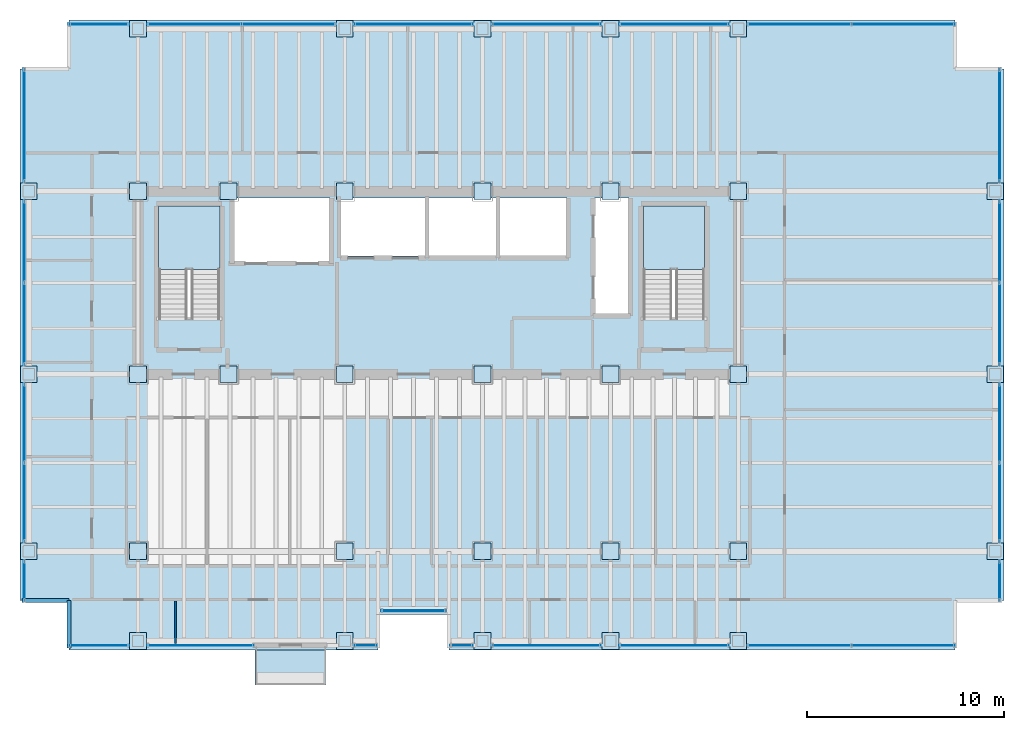
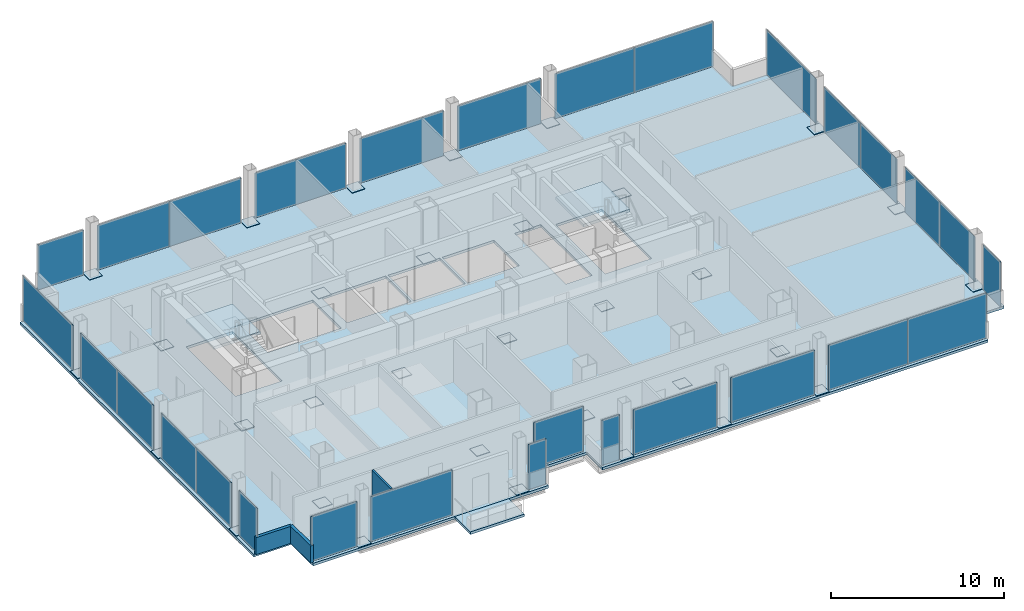
# One storey, part 16 of 20: 62 plates, 4 slabs, 3 walls, 7 openings, 24 elements without a shape of their own.
"""IFC4 building model written with IfcOpenShell, lengths in metres."""

from ifc_helpers import new_model, si_unit, direction, frame, frame_2d, origin, origin_2d, place, context, subcontext, project, spatial, polyline, rectangle, outline, extrude, material, layer, layer_set, type_object, element, aggregate, save


model = new_model("IFC4")

# Units and contexts
model_context = context("Model", 3, precision=1e-05, world=origin(), true_north=direction((0.0, 1.0)))
body_context = subcontext(model_context, "Body", "Model", "MODEL_VIEW")
ifc_project = project(units=[si_unit("LENGTHUNIT", "METRE"), si_unit("AREAUNIT", "SQUARE_METRE"), si_unit("VOLUMEUNIT", "CUBIC_METRE"), si_unit("PLANEANGLEUNIT", "RADIAN"), si_unit("MASSUNIT", "GRAM", prefix="KILO")], contexts=[model_context])

# Site, building, storey
site_placement = place(None, origin())
site = spatial("IfcSite", under=ifc_project, at=site_placement, CompositionType="ELEMENT")
building_placement = place(site_placement, origin())
building = spatial("IfcBuilding", under=site, at=building_placement, Name="Noeulbin Bourse Tower", CompositionType="ELEMENT")
storey_placement = place(building_placement, frame((0.0, 0.0, 57.699951171875)))
storey = spatial("IfcBuildingStorey", under=building, at=storey_placement, Name="L14", CompositionType="ELEMENT", Elevation=57.699951171875)

# Curtain wall, plate
ifc_material_1 = material(Name="Dark Solar-Control Double Glazing", Category="glass")
curtain_wall_type = type_object("IfcCurtainWallType", Name="CW-SYS-2", PredefinedType="NOTDEFINED", material=ifc_material_1)
curtain_wall_1_placement = place(storey_placement, origin())
curtain_wall_1 = element("IfcCurtainWall", 1, at=curtain_wall_1_placement, inside=storey, type_object=curtain_wall_type, Name="Unitised Curtain Wall CW-L14-SREC", PredefinedType="NOTDEFINED")
ifc_layer_1 = layer(ifc_material_1, 0.035888671875)
ifc_layer_set_1 = layer_set([ifc_layer_1], Name="Dark Solar-Control Double Glazing")
plate_type_1 = type_object("IfcPlateType", Name="CW-SYS-2-PNL", PredefinedType="CURTAIN_PANEL", material=ifc_layer_set_1)
plate_1_placement = place(storey_placement, frame((27.5, 16.97998046875, 0.0), z_axis=(0.0, 0.0, 1.0), x_axis=(1.0, 0.0, 0.0)))
plate_1 = element("IfcPlate", 2, at=plate_1_placement, type_object=plate_type_1, Name="Glazed Curtain Panel CW-L14-SREC-P00", PredefinedType="CURTAIN_PANEL", context=body_context, shape_type="SweptSolid", body=[
    extrude(rectangle(XDim=3.300048828125, YDim=0.035888671875, at=origin_2d()), origin(), (0.0, 0.0, 1.0), 3.179931640625),
])
aggregate(curtain_wall_1, [plate_1])

curtain_wall_2_placement = place(storey_placement, origin())
curtain_wall_2 = element("IfcCurtainWall", 3, at=curtain_wall_2_placement, inside=storey, type_object=curtain_wall_type, Name="Unitised Curtain Wall CW-L14-S1-S1", PredefinedType="NOTDEFINED")
plate_2_placement = place(storey_placement, frame((11.510009765625, 15.219970703125, 0.0), z_axis=(0.0, 0.0, 1.0), x_axis=(1.0, 0.0, 0.0)))
plate_2 = element("IfcPlate", 4, at=plate_2_placement, type_object=plate_type_1, Name="Glazed Curtain Panel CW-L14-S1-S1-P00", PredefinedType="CURTAIN_PANEL", context=body_context, shape_type="SweptSolid", body=[
    extrude(rectangle(XDim=3.06005859375, YDim=0.035888671875, at=origin_2d()), origin(), (0.0, 0.0, 1.0), 3.179931640625),
])
aggregate(curtain_wall_2, [plate_2])

curtain_wall_3_placement = place(storey_placement, origin())
curtain_wall_3 = element("IfcCurtainWall", 5, at=curtain_wall_3_placement, inside=storey, type_object=curtain_wall_type, Name="Unitised Curtain Wall CW-L14-S1-S2", PredefinedType="NOTDEFINED")
plate_3_placement = place(storey_placement, frame((16.679931640625, 15.219970703125, 0.0), z_axis=(0.0, 0.0, 1.0), x_axis=(1.0, 0.0, 0.0)))
plate_3 = element("IfcPlate", 6, at=plate_3_placement, type_object=plate_type_1, Name="Glazed Curtain Panel CW-L14-S1-S2-P00", PredefinedType="CURTAIN_PANEL", context=body_context, shape_type="SweptSolid", body=[
    extrude(rectangle(XDim=5.43994140625, YDim=0.035888671875, at=origin_2d()), origin(), (0.0, 0.0, 1.0), 3.179931640625),
])
aggregate(curtain_wall_3, [plate_3])

curtain_wall_4_placement = place(storey_placement, origin())
curtain_wall_4 = element("IfcCurtainWall", 7, at=curtain_wall_4_placement, inside=storey, type_object=curtain_wall_type, Name="Unitised Curtain Wall CW-L14-S2", PredefinedType="NOTDEFINED")
plate_4_placement = place(storey_placement, frame((25.054931640625, 15.219970703125, 0.0), z_axis=(0.0, 0.0, 1.0), x_axis=(1.0, 0.0, 0.0)))
plate_4 = element("IfcPlate", 8, at=plate_4_placement, type_object=plate_type_1, Name="Glazed Curtain Panel CW-L14-S2-P00", PredefinedType="CURTAIN_PANEL", context=body_context, shape_type="SweptSolid", body=[
    extrude(rectangle(XDim=1.18994140625, YDim=0.035888671875, at=origin_2d()), origin(), (0.0, 0.0, 1.0), 3.179931640625),
])
aggregate(curtain_wall_4, [plate_4])

curtain_wall_5_placement = place(storey_placement, origin())
curtain_wall_5 = element("IfcCurtainWall", 9, at=curtain_wall_5_placement, inside=storey, type_object=curtain_wall_type, Name="Unitised Curtain Wall CW-L14-S3-S1", PredefinedType="NOTDEFINED")
plate_5_placement = place(storey_placement, frame((29.945068359375, 15.219970703125, 0.0), z_axis=(0.0, 0.0, 1.0), x_axis=(1.0, 0.0, 0.0)))
plate_5 = element("IfcPlate", 10, at=plate_5_placement, type_object=plate_type_1, Name="Glazed Curtain Panel CW-L14-S3-S1-P00", PredefinedType="CURTAIN_PANEL", context=body_context, shape_type="SweptSolid", body=[
    extrude(rectangle(XDim=1.18994140625, YDim=0.035888671875, at=origin_2d()), origin(), (0.0, 0.0, 1.0), 3.179931640625),
])
aggregate(curtain_wall_5, [plate_5])

curtain_wall_6_placement = place(storey_placement, origin())
curtain_wall_6 = element("IfcCurtainWall", 11, at=curtain_wall_6_placement, inside=storey, type_object=curtain_wall_type, Name="Unitised Curtain Wall CW-L14-S3-S2", PredefinedType="NOTDEFINED")
plate_6_placement = place(storey_placement, frame((34.25, 15.219970703125, 0.0), z_axis=(0.0, 0.0, 1.0), x_axis=(1.0, 0.0, 0.0)))
plate_6 = element("IfcPlate", 12, at=plate_6_placement, type_object=plate_type_1, Name="Glazed Curtain Panel CW-L14-S3-S2-P00", PredefinedType="CURTAIN_PANEL", context=body_context, shape_type="SweptSolid", body=[
    extrude(rectangle(XDim=5.580078125, YDim=0.035888671875, at=origin_2d()), origin(), (0.0, 0.0, 1.0), 3.179931640625),
])
aggregate(curtain_wall_6, [plate_6])

curtain_wall_7_placement = place(storey_placement, origin())
curtain_wall_7 = element("IfcCurtainWall", 13, at=curtain_wall_7_placement, inside=storey, type_object=curtain_wall_type, Name="Unitised Curtain Wall CW-L14-S3-S3", PredefinedType="NOTDEFINED")
plate_7_placement = place(storey_placement, frame((40.75, 15.219970703125, 0.0), z_axis=(0.0, 0.0, 1.0), x_axis=(1.0, 0.0, 0.0)))
plate_7 = element("IfcPlate", 14, at=plate_7_placement, type_object=plate_type_1, Name="Glazed Curtain Panel CW-L14-S3-S3-P00", PredefinedType="CURTAIN_PANEL", context=body_context, shape_type="SweptSolid", body=[
    extrude(rectangle(XDim=5.580078125, YDim=0.035888671875, at=origin_2d()), origin(), (0.0, 0.0, 1.0), 3.179931640625),
])
aggregate(curtain_wall_7, [plate_7])

# Curtain wall, plates
curtain_wall_8_placement = place(storey_placement, origin())
curtain_wall_8 = element("IfcCurtainWall", 15, at=curtain_wall_8_placement, inside=storey, type_object=curtain_wall_type, Name="Unitised Curtain Wall CW-L14-S3-S4", PredefinedType="NOTDEFINED")
plate_8_placement = place(storey_placement, frame((47.10009765625, 15.219970703125, 0.0), z_axis=(0.0, 0.0, 1.0), x_axis=(1.0, 0.0, 0.0)))
plate_8 = element("IfcPlate", 16, at=plate_8_placement, type_object=plate_type_1, Name="Glazed Curtain Panel CW-L14-S3-S4-P00", PredefinedType="CURTAIN_PANEL", context=body_context, shape_type="SweptSolid", body=[
    extrude(rectangle(XDim=5.280029296875, YDim=0.035888671875, at=origin_2d()), origin(), (0.0, 0.0, 1.0), 3.179931640625),
])
plate_9_placement = place(storey_placement, frame((52.3798828125, 15.219970703125, 0.0), z_axis=(0.0, 0.0, 1.0), x_axis=(1.0, 0.0, 0.0)))
plate_9 = element("IfcPlate", 17, at=plate_9_placement, type_object=plate_type_1, Name="Glazed Curtain Panel CW-L14-S3-S4-P01", PredefinedType="CURTAIN_PANEL", context=body_context, shape_type="SweptSolid", body=[
    extrude(rectangle(XDim=5.280029296875, YDim=0.035888671875, at=origin_2d()), origin(), (0.0, 0.0, 1.0), 3.179931640625),
])
aggregate(curtain_wall_8, [plate_8, plate_9])

# Curtain wall, plate
curtain_wall_9_placement = place(storey_placement, origin())
curtain_wall_9 = element("IfcCurtainWall", 18, at=curtain_wall_9_placement, inside=storey, type_object=curtain_wall_type, Name="Unitised Curtain Wall CW-L14-N-S1", PredefinedType="NOTDEFINED")
plate_10_placement = place(storey_placement, frame((11.510009765625, 46.780029296875, 0.0), z_axis=(0.0, 0.0, 1.0), x_axis=(1.0, 0.0, 0.0)))
plate_10 = element("IfcPlate", 19, at=plate_10_placement, type_object=plate_type_1, Name="Glazed Curtain Panel CW-L14-N-S1-P00", PredefinedType="CURTAIN_PANEL", context=body_context, shape_type="SweptSolid", body=[
    extrude(rectangle(XDim=3.06005859375, YDim=0.035888671875, at=origin_2d()), origin(), (0.0, 0.0, 1.0), 3.179931640625),
])
aggregate(curtain_wall_9, [plate_10])

# Curtain wall, plates
curtain_wall_10_placement = place(storey_placement, origin())
curtain_wall_10 = element("IfcCurtainWall", 20, at=curtain_wall_10_placement, inside=storey, type_object=curtain_wall_type, Name="Unitised Curtain Wall CW-L14-N-S2", PredefinedType="NOTDEFINED")
plate_11_placement = place(storey_placement, frame((16.35498046875, 46.780029296875, 0.0), z_axis=(0.0, 0.0, 1.0), x_axis=(1.0, 0.0, 0.0)))
plate_11 = element("IfcPlate", 21, at=plate_11_placement, type_object=plate_type_1, Name="Glazed Curtain Panel CW-L14-N-S2-P00", PredefinedType="CURTAIN_PANEL", context=body_context, shape_type="SweptSolid", body=[
    extrude(rectangle(XDim=4.7900390625, YDim=0.035888671875, at=origin_2d()), origin(), (0.0, 0.0, 1.0), 3.179931640625),
])
plate_12_placement = place(storey_placement, frame((21.14501953125, 46.780029296875, 0.0), z_axis=(0.0, 0.0, 1.0), x_axis=(1.0, 0.0, 0.0)))
plate_12 = element("IfcPlate", 22, at=plate_12_placement, type_object=plate_type_1, Name="Glazed Curtain Panel CW-L14-N-S2-P01", PredefinedType="CURTAIN_PANEL", context=body_context, shape_type="SweptSolid", body=[
    extrude(rectangle(XDim=4.7900390625, YDim=0.035888671875, at=origin_2d()), origin(), (0.0, 0.0, 1.0), 3.179931640625),
])
aggregate(curtain_wall_10, [plate_11, plate_12])

# Curtain wall, plate
curtain_wall_11_placement = place(storey_placement, origin())
curtain_wall_11 = element("IfcCurtainWall", 23, at=curtain_wall_11_placement, inside=storey, type_object=curtain_wall_type, Name="Unitised Curtain Wall CW-L14-N-S3", PredefinedType="NOTDEFINED")
plate_13_placement = place(storey_placement, frame((27.5, 46.780029296875, 0.0), z_axis=(0.0, 0.0, 1.0), x_axis=(1.0, 0.0, 0.0)))
plate_13 = element("IfcPlate", 24, at=plate_13_placement, type_object=plate_type_1, Name="Glazed Curtain Panel CW-L14-N-S3-P00", PredefinedType="CURTAIN_PANEL", context=body_context, shape_type="SweptSolid", body=[
    extrude(rectangle(XDim=6.080078125, YDim=0.035888671875, at=origin_2d()), origin(), (0.0, 0.0, 1.0), 3.179931640625),
])
aggregate(curtain_wall_11, [plate_13])

curtain_wall_12_placement = place(storey_placement, origin())
curtain_wall_12 = element("IfcCurtainWall", 25, at=curtain_wall_12_placement, inside=storey, type_object=curtain_wall_type, Name="Unitised Curtain Wall CW-L14-N-S4", PredefinedType="NOTDEFINED")
plate_14_placement = place(storey_placement, frame((34.25, 46.780029296875, 0.0), z_axis=(0.0, 0.0, 1.0), x_axis=(1.0, 0.0, 0.0)))
plate_14 = element("IfcPlate", 26, at=plate_14_placement, type_object=plate_type_1, Name="Glazed Curtain Panel CW-L14-N-S4-P00", PredefinedType="CURTAIN_PANEL", context=body_context, shape_type="SweptSolid", body=[
    extrude(rectangle(XDim=5.580078125, YDim=0.035888671875, at=origin_2d()), origin(), (0.0, 0.0, 1.0), 3.179931640625),
])
aggregate(curtain_wall_12, [plate_14])

curtain_wall_13_placement = place(storey_placement, origin())
curtain_wall_13 = element("IfcCurtainWall", 27, at=curtain_wall_13_placement, inside=storey, type_object=curtain_wall_type, Name="Unitised Curtain Wall CW-L14-N-S5", PredefinedType="NOTDEFINED")
plate_15_placement = place(storey_placement, frame((40.75, 46.780029296875, 0.0), z_axis=(0.0, 0.0, 1.0), x_axis=(1.0, 0.0, 0.0)))
plate_15 = element("IfcPlate", 28, at=plate_15_placement, type_object=plate_type_1, Name="Glazed Curtain Panel CW-L14-N-S5-P00", PredefinedType="CURTAIN_PANEL", context=body_context, shape_type="SweptSolid", body=[
    extrude(rectangle(XDim=5.580078125, YDim=0.035888671875, at=origin_2d()), origin(), (0.0, 0.0, 1.0), 3.179931640625),
])
aggregate(curtain_wall_13, [plate_15])

# Curtain wall, plates
curtain_wall_14_placement = place(storey_placement, origin())
curtain_wall_14 = element("IfcCurtainWall", 29, at=curtain_wall_14_placement, inside=storey, type_object=curtain_wall_type, Name="Unitised Curtain Wall CW-L14-N-S6", PredefinedType="NOTDEFINED")
plate_16_placement = place(storey_placement, frame((47.10009765625, 46.780029296875, 0.0), z_axis=(0.0, 0.0, 1.0), x_axis=(1.0, 0.0, 0.0)))
plate_16 = element("IfcPlate", 30, at=plate_16_placement, type_object=plate_type_1, Name="Glazed Curtain Panel CW-L14-N-S6-P00", PredefinedType="CURTAIN_PANEL", context=body_context, shape_type="SweptSolid", body=[
    extrude(rectangle(XDim=5.280029296875, YDim=0.035888671875, at=origin_2d()), origin(), (0.0, 0.0, 1.0), 3.179931640625),
])
plate_17_placement = place(storey_placement, frame((52.3798828125, 46.780029296875, 0.0), z_axis=(0.0, 0.0, 1.0), x_axis=(1.0, 0.0, 0.0)))
plate_17 = element("IfcPlate", 31, at=plate_17_placement, type_object=plate_type_1, Name="Glazed Curtain Panel CW-L14-N-S6-P01", PredefinedType="CURTAIN_PANEL", context=body_context, shape_type="SweptSolid", body=[
    extrude(rectangle(XDim=5.280029296875, YDim=0.035888671875, at=origin_2d()), origin(), (0.0, 0.0, 1.0), 3.179931640625),
])
aggregate(curtain_wall_14, [plate_16, plate_17])

# Curtain wall, plate
curtain_wall_15_placement = place(storey_placement, origin())
curtain_wall_15 = element("IfcCurtainWall", 32, at=curtain_wall_15_placement, inside=storey, type_object=curtain_wall_type, Name="Unitised Curtain Wall CW-L14-W-S1", PredefinedType="NOTDEFINED")
plate_18_placement = place(storey_placement, frame((7.719970703125, 18.510009765625, 0.0), z_axis=(0.0, 0.0, 1.0), x_axis=(0.0, 1.0, 0.0)))
plate_18 = element("IfcPlate", 33, at=plate_18_placement, type_object=plate_type_1, Name="Glazed Curtain Panel CW-L14-W-S1-P00", PredefinedType="CURTAIN_PANEL", context=body_context, shape_type="SweptSolid", body=[
    extrude(rectangle(XDim=2.06005859375, YDim=0.035888671875, at=origin_2d()), origin(), (0.0, 0.0, 1.0), 3.179931640625),
])
aggregate(curtain_wall_15, [plate_18])

# Curtain wall, plates
curtain_wall_16_placement = place(storey_placement, origin())
curtain_wall_16 = element("IfcCurtainWall", 34, at=curtain_wall_16_placement, inside=storey, type_object=curtain_wall_type, Name="Unitised Curtain Wall CW-L14-W-S2", PredefinedType="NOTDEFINED")
plate_19_placement = place(storey_placement, frame((7.719970703125, 22.47998046875, 0.0), z_axis=(0.0, 0.0, 1.0), x_axis=(0.0, 1.0, 0.0)))
plate_19 = element("IfcPlate", 35, at=plate_19_placement, type_object=plate_type_1, Name="Glazed Curtain Panel CW-L14-W-S2-P00", PredefinedType="CURTAIN_PANEL", context=body_context, shape_type="SweptSolid", body=[
    extrude(rectangle(XDim=4.0400390625, YDim=0.035888671875, at=origin_2d()), origin(), (0.0, 0.0, 1.0), 3.179931640625),
])
plate_20_placement = place(storey_placement, frame((7.719970703125, 26.52001953125, 0.0), z_axis=(0.0, 0.0, 1.0), x_axis=(0.0, 1.0, 0.0)))
plate_20 = element("IfcPlate", 36, at=plate_20_placement, type_object=plate_type_1, Name="Glazed Curtain Panel CW-L14-W-S2-P01", PredefinedType="CURTAIN_PANEL", context=body_context, shape_type="SweptSolid", body=[
    extrude(rectangle(XDim=4.0400390625, YDim=0.035888671875, at=origin_2d()), origin(), (0.0, 0.0, 1.0), 3.179931640625),
])
aggregate(curtain_wall_16, [plate_19, plate_20])

curtain_wall_17_placement = place(storey_placement, origin())
curtain_wall_17 = element("IfcCurtainWall", 37, at=curtain_wall_17_placement, inside=storey, type_object=curtain_wall_type, Name="Unitised Curtain Wall CW-L14-W-S3", PredefinedType="NOTDEFINED")
plate_21_placement = place(storey_placement, frame((7.719970703125, 31.554931640625, 0.0), z_axis=(0.0, 0.0, 1.0), x_axis=(0.0, 1.0, 0.0)))
plate_21 = element("IfcPlate", 38, at=plate_21_placement, type_object=plate_type_1, Name="Glazed Curtain Panel CW-L14-W-S3-P00", PredefinedType="CURTAIN_PANEL", context=body_context, shape_type="SweptSolid", body=[
    extrude(rectangle(XDim=4.18994140625, YDim=0.035888671875, at=origin_2d()), origin(), (0.0, 0.0, 1.0), 3.179931640625),
])
plate_22_placement = place(storey_placement, frame((7.719970703125, 35.7451171875, 0.0), z_axis=(0.0, 0.0, 1.0), x_axis=(0.0, 1.0, 0.0)))
plate_22 = element("IfcPlate", 39, at=plate_22_placement, type_object=plate_type_1, Name="Glazed Curtain Panel CW-L14-W-S3-P01", PredefinedType="CURTAIN_PANEL", context=body_context, shape_type="SweptSolid", body=[
    extrude(rectangle(XDim=4.18994140625, YDim=0.035888671875, at=origin_2d()), origin(), (0.0, 0.0, 1.0), 3.179931640625),
])
aggregate(curtain_wall_17, [plate_21, plate_22])

# Curtain wall, plate
curtain_wall_18_placement = place(storey_placement, origin())
curtain_wall_18 = element("IfcCurtainWall", 40, at=curtain_wall_18_placement, inside=storey, type_object=curtain_wall_type, Name="Unitised Curtain Wall CW-L14-W-S4", PredefinedType="NOTDEFINED")
plate_23_placement = place(storey_placement, frame((7.719970703125, 41.639892578125, 0.0), z_axis=(0.0, 0.0, 1.0), x_axis=(0.0, 1.0, 0.0)))
plate_23 = element("IfcPlate", 41, at=plate_23_placement, type_object=plate_type_1, Name="Glazed Curtain Panel CW-L14-W-S4-P00", PredefinedType="CURTAIN_PANEL", context=body_context, shape_type="SweptSolid", body=[
    extrude(rectangle(XDim=5.760009765625, YDim=0.035888671875, at=origin_2d()), origin(), (0.0, 0.0, 1.0), 3.179931640625),
])
aggregate(curtain_wall_18, [plate_23])

curtain_wall_19_placement = place(storey_placement, origin())
curtain_wall_19 = element("IfcCurtainWall", 42, at=curtain_wall_19_placement, inside=storey, type_object=curtain_wall_type, Name="Unitised Curtain Wall CW-L14-E-S1", PredefinedType="NOTDEFINED")
plate_24_placement = place(storey_placement, frame((57.280029296875, 18.510009765625, 0.0), z_axis=(0.0, 0.0, 1.0), x_axis=(0.0, 1.0, 0.0)))
plate_24 = element("IfcPlate", 43, at=plate_24_placement, type_object=plate_type_1, Name="Glazed Curtain Panel CW-L14-E-S1-P00", PredefinedType="CURTAIN_PANEL", context=body_context, shape_type="SweptSolid", body=[
    extrude(rectangle(XDim=2.06005859375, YDim=0.035888671875, at=origin_2d()), origin(), (0.0, 0.0, 1.0), 3.179931640625),
])
aggregate(curtain_wall_19, [plate_24])

# Curtain wall, plates
curtain_wall_20_placement = place(storey_placement, origin())
curtain_wall_20 = element("IfcCurtainWall", 44, at=curtain_wall_20_placement, inside=storey, type_object=curtain_wall_type, Name="Unitised Curtain Wall CW-L14-E-S2", PredefinedType="NOTDEFINED")
plate_25_placement = place(storey_placement, frame((57.280029296875, 22.47998046875, 0.0), z_axis=(0.0, 0.0, 1.0), x_axis=(0.0, 1.0, 0.0)))
plate_25 = element("IfcPlate", 45, at=plate_25_placement, type_object=plate_type_1, Name="Glazed Curtain Panel CW-L14-E-S2-P00", PredefinedType="CURTAIN_PANEL", context=body_context, shape_type="SweptSolid", body=[
    extrude(rectangle(XDim=4.0400390625, YDim=0.035888671875, at=origin_2d()), origin(), (0.0, 0.0, 1.0), 3.179931640625),
])
plate_26_placement = place(storey_placement, frame((57.280029296875, 26.52001953125, 0.0), z_axis=(0.0, 0.0, 1.0), x_axis=(0.0, 1.0, 0.0)))
plate_26 = element("IfcPlate", 46, at=plate_26_placement, type_object=plate_type_1, Name="Glazed Curtain Panel CW-L14-E-S2-P01", PredefinedType="CURTAIN_PANEL", context=body_context, shape_type="SweptSolid", body=[
    extrude(rectangle(XDim=4.0400390625, YDim=0.035888671875, at=origin_2d()), origin(), (0.0, 0.0, 1.0), 3.179931640625),
])
aggregate(curtain_wall_20, [plate_25, plate_26])

curtain_wall_21_placement = place(storey_placement, origin())
curtain_wall_21 = element("IfcCurtainWall", 47, at=curtain_wall_21_placement, inside=storey, type_object=curtain_wall_type, Name="Unitised Curtain Wall CW-L14-E-S3", PredefinedType="NOTDEFINED")
plate_27_placement = place(storey_placement, frame((57.280029296875, 31.554931640625, 0.0), z_axis=(0.0, 0.0, 1.0), x_axis=(0.0, 1.0, 0.0)))
plate_27 = element("IfcPlate", 48, at=plate_27_placement, type_object=plate_type_1, Name="Glazed Curtain Panel CW-L14-E-S3-P00", PredefinedType="CURTAIN_PANEL", context=body_context, shape_type="SweptSolid", body=[
    extrude(rectangle(XDim=4.18994140625, YDim=0.035888671875, at=origin_2d()), origin(), (0.0, 0.0, 1.0), 3.179931640625),
])
plate_28_placement = place(storey_placement, frame((57.280029296875, 35.7451171875, 0.0), z_axis=(0.0, 0.0, 1.0), x_axis=(0.0, 1.0, 0.0)))
plate_28 = element("IfcPlate", 49, at=plate_28_placement, type_object=plate_type_1, Name="Glazed Curtain Panel CW-L14-E-S3-P01", PredefinedType="CURTAIN_PANEL", context=body_context, shape_type="SweptSolid", body=[
    extrude(rectangle(XDim=4.18994140625, YDim=0.035888671875, at=origin_2d()), origin(), (0.0, 0.0, 1.0), 3.179931640625),
])
aggregate(curtain_wall_21, [plate_27, plate_28])

# Curtain wall, plate
curtain_wall_22_placement = place(storey_placement, origin())
curtain_wall_22 = element("IfcCurtainWall", 50, at=curtain_wall_22_placement, inside=storey, type_object=curtain_wall_type, Name="Unitised Curtain Wall CW-L14-E-S4", PredefinedType="NOTDEFINED")
plate_29_placement = place(storey_placement, frame((57.280029296875, 41.639892578125, 0.0), z_axis=(0.0, 0.0, 1.0), x_axis=(0.0, 1.0, 0.0)))
plate_29 = element("IfcPlate", 51, at=plate_29_placement, type_object=plate_type_1, Name="Glazed Curtain Panel CW-L14-E-S4-P00", PredefinedType="CURTAIN_PANEL", context=body_context, shape_type="SweptSolid", body=[
    extrude(rectangle(XDim=5.760009765625, YDim=0.035888671875, at=origin_2d()), origin(), (0.0, 0.0, 1.0), 3.179931640625),
])
aggregate(curtain_wall_22, [plate_29])

# Plates
ifc_material_2 = material(Name="Steel S355", Category="steel")
ifc_layer_2 = layer(ifc_material_2, 0.030029296875)
ifc_layer_set_2 = layer_set([ifc_layer_2], Name="Steel S355")
plate_type_2 = type_object("IfcPlateType", Name="PLT-BN1", PredefinedType="USERDEFINED", material=ifc_layer_set_2)
for number, where, z_axis, x_axis, name in (
    (52, (13.5, 29.0, 0.0048828125), (0.0, 0.0, 1.0), (1.0, 0.0, 0.0), "Mega-Column Splice Plate BN1-L14-01"),
    (53, (13.5, 38.300048828125, 0.0048828125), (0.0, 0.0, 1.0), (1.0, 0.0, 0.0), "Mega-Column Splice Plate BN1-L14-02"),
    (54, (18.10009765625, 29.0, 0.0048828125), (0.0, 0.0, 1.0), (1.0, 0.0, 0.0), "Mega-Column Splice Plate BN1-L14-03"),
    (55, (18.10009765625, 38.300048828125, 0.0048828125), (0.0, 0.0, 1.0), (1.0, 0.0, 0.0), "Mega-Column Splice Plate BN1-L14-04"),
    (56, (24.0, 29.0, 0.0048828125), (0.0, 0.0, 1.0), (1.0, 0.0, 0.0), "Mega-Column Splice Plate BN1-L14-05"),
    (57, (24.0, 38.300048828125, 0.0048828125), (0.0, 0.0, 1.0), (1.0, 0.0, 0.0), "Mega-Column Splice Plate BN1-L14-06"),
    (58, (31.0, 29.0, 0.0048828125), (0.0, 0.0, 1.0), (1.0, 0.0, 0.0), "Mega-Column Splice Plate BN1-L14-07"),
    (59, (31.0, 38.300048828125, 0.0048828125), (0.0, 0.0, 1.0), (1.0, 0.0, 0.0), "Mega-Column Splice Plate BN1-L14-08"),
    (60, (37.5, 29.0, 0.0048828125), (0.0, 0.0, 1.0), (1.0, 0.0, 0.0), "Mega-Column Splice Plate BN1-L14-09"),
    (61, (37.5, 38.300048828125, 0.0048828125), (0.0, 0.0, 1.0), (1.0, 0.0, 0.0), "Mega-Column Splice Plate BN1-L14-10"),
    (62, (44.0, 29.0, 0.0048828125), (0.0, 0.0, 1.0), (1.0, 0.0, 0.0), "Mega-Column Splice Plate BN1-L14-11"),
    (63, (44.0, 38.300048828125, 0.0048828125), (0.0, 0.0, 1.0), (1.0, 0.0, 0.0), "Mega-Column Splice Plate BN1-L14-12"),
    (64, (13.5, 20.0, 0.0048828125), (0.0, 0.0, 1.0), (1.0, 0.0, 0.0), "Mega-Column Splice Plate BN1-L14-13"),
    (65, (24.0, 20.0, 0.0048828125), (0.0, 0.0, 1.0), (1.0, 0.0, 0.0), "Mega-Column Splice Plate BN1-L14-14"),
    (66, (31.0, 20.0, 0.0048828125), (0.0, 0.0, 1.0), (1.0, 0.0, 0.0), "Mega-Column Splice Plate BN1-L14-15"),
    (67, (37.5, 20.0, 0.0048828125), (0.0, 0.0, 1.0), (1.0, 0.0, 0.0), "Mega-Column Splice Plate BN1-L14-16"),
    (68, (44.0, 20.0, 0.0048828125), (0.0, 0.0, 1.0), (1.0, 0.0, 0.0), "Mega-Column Splice Plate BN1-L14-17"),
    (69, (7.949951171875, 20.0, 0.0048828125), (0.0, 0.0, 1.0), (1.0, 0.0, 0.0), "Perimeter Column Splice Plate BN1-L14-01"),
    (70, (7.949951171875, 29.0, 0.0048828125), (0.0, 0.0, 1.0), (1.0, 0.0, 0.0), "Perimeter Column Splice Plate BN1-L14-02"),
    (71, (7.949951171875, 38.300048828125, 0.0048828125), (0.0, 0.0, 1.0), (1.0, 0.0, 0.0), "Perimeter Column Splice Plate BN1-L14-03"),
    (72, (13.5, 15.449951171875, 0.0048828125), (0.0, 0.0, 1.0), (1.0, 0.0, 0.0), "Perimeter Column Splice Plate BN1-L14-04"),
    (73, (13.5, 46.550048828125, 0.0048828125), (0.0, 0.0, 1.0), (1.0, 0.0, 0.0), "Perimeter Column Splice Plate BN1-L14-05"),
    (74, (24.0, 15.449951171875, 0.0048828125), (0.0, 0.0, 1.0), (1.0, 0.0, 0.0), "Perimeter Column Splice Plate BN1-L14-06"),
    (75, (24.0, 46.550048828125, 0.0048828125), (0.0, 0.0, 1.0), (1.0, 0.0, 0.0), "Perimeter Column Splice Plate BN1-L14-07"),
    (76, (31.0, 15.449951171875, 0.0048828125), (0.0, 0.0, 1.0), (1.0, 0.0, 0.0), "Perimeter Column Splice Plate BN1-L14-08"),
    (77, (31.0, 46.550048828125, 0.0048828125), (0.0, 0.0, 1.0), (1.0, 0.0, 0.0), "Perimeter Column Splice Plate BN1-L14-09"),
    (78, (37.5, 15.449951171875, 0.0048828125), (0.0, 0.0, 1.0), (1.0, 0.0, 0.0), "Perimeter Column Splice Plate BN1-L14-10"),
    (79, (37.5, 46.550048828125, 0.0048828125), (0.0, 0.0, 1.0), (1.0, 0.0, 0.0), "Perimeter Column Splice Plate BN1-L14-11"),
    (80, (44.0, 15.449951171875, 0.0048828125), (0.0, 0.0, 1.0), (1.0, 0.0, 0.0), "Perimeter Column Splice Plate BN1-L14-12"),
    (81, (44.0, 46.550048828125, 0.0048828125), (0.0, 0.0, 1.0), (1.0, 0.0, 0.0), "Perimeter Column Splice Plate BN1-L14-13"),
    (82, (57.050048828125, 20.0, 0.0048828125), (0.0, 0.0, 1.0), (1.0, 0.0, 0.0), "Perimeter Column Splice Plate BN1-L14-14"),
    (83, (57.050048828125, 29.0, 0.0048828125), (0.0, 0.0, 1.0), (1.0, 0.0, 0.0), "Perimeter Column Splice Plate BN1-L14-15"),
    (84, (57.050048828125, 38.300048828125, 0.0048828125), (0.0, 0.0, 1.0), (1.0, 0.0, 0.0), "Perimeter Column Splice Plate BN1-L14-16"),
):
    element("IfcPlate", number, at=place(storey_placement, frame(where, z_axis=z_axis, x_axis=x_axis)), inside=storey, type_object=plate_type_2, Name=name, ObjectType="SPLICE PLATE", PredefinedType="USERDEFINED", context=body_context, shape_type="SweptSolid", body=[
        extrude(rectangle(XDim=0.85009765625, YDim=0.85009765625, at=origin_2d()), origin(), (0.0, 0.0, 1.0), 0.030029296875),
    ])

# Stair, slab
ifc_material_3 = material(Name="Concrete C40/50", Category="concrete")
stair_type = type_object("IfcStairType", Name="STR-CORE-1560", PredefinedType="HALF_TURN_STAIR", material=ifc_material_3)
stair_1_placement = place(storey_placement, origin())
stair_1 = element("IfcStair", 85, at=stair_1_placement, inside=storey, type_object=stair_type, Name="L14 ST-1", PredefinedType="HALF_TURN_STAIR")
ifc_layer_3 = layer(ifc_material_3, 0.199951171875)
ifc_layer_set_3 = layer_set([ifc_layer_3], Name="Concrete C40/50")
slab_type_1 = type_object("IfcSlabType", Name="SLB-LND-200", PredefinedType="LANDING", material=ifc_layer_set_3)
slab_1_placement = place(storey_placement, frame((0.0, 0.0, 1.75)))
slab_1 = element("IfcSlab", 86, at=slab_1_placement, type_object=slab_type_1, Name="ST-1 landing 1", PredefinedType="LANDING", context=body_context, shape_type="SweptSolid", body=[
    extrude(outline(polyline([(17.64990234375, 34.330078125), (17.64990234375, 37.5439453125), (14.550048828125, 37.5439453125), (14.550048828125, 34.330078125), (17.64990234375, 34.330078125)])), origin(), (0.0, 0.0, 1.0), 0.199951171875),
])
aggregate(stair_1, [slab_1])

stair_2_placement = place(storey_placement, origin())
stair_2 = element("IfcStair", 87, at=stair_2_placement, inside=storey, type_object=stair_type, Name="L14 ST-2", PredefinedType="HALF_TURN_STAIR")
slab_2_placement = place(storey_placement, frame((0.0, 0.0, 1.75)))
slab_2 = element("IfcSlab", 88, at=slab_2_placement, type_object=slab_type_1, Name="ST-2 landing 1", PredefinedType="LANDING", context=body_context, shape_type="SweptSolid", body=[
    extrude(outline(polyline([(42.280029296875, 34.330078125), (42.280029296875, 37.5439453125), (39.179931640625, 37.5439453125), (39.179931640625, 34.330078125), (42.280029296875, 34.330078125)])), origin(), (0.0, 0.0, 1.0), 0.199951171875),
])
aggregate(stair_2, [slab_2])

# Slab, openings
ifc_layer_4 = layer(ifc_material_3, 0.179931640625)
ifc_layer_set_4 = layer_set([ifc_layer_4], Name="Concrete C40/50")
slab_type_2 = type_object("IfcSlabType", Name="SLB-TYP-180", PredefinedType="FLOOR", material=ifc_layer_set_4)
slab_3_placement = place(storey_placement, frame((0.0, 0.0, -0.179931640625)))
slab_3 = element("IfcSlab", 89, at=slab_3_placement, inside=storey, type_object=slab_type_2, Name="Tower Structural Floor Slab L14", PredefinedType="FLOOR", context=body_context, shape_type="SweptSolid", body=[
    extrude(outline(polyline([(10.0, 15.0), (25.699951171875, 15.0), (25.699951171875, 16.800048828125), (29.300048828125, 16.800048828125), (29.300048828125, 15.0), (55.0, 15.0), (55.0, 17.5), (57.5, 17.5), (57.5, 44.5), (55.0, 44.5), (55.0, 47.0), (10.0, 47.0), (10.0, 44.5), (7.5, 44.5), (7.5, 17.5), (10.0, 17.5), (10.0, 15.0)]), holes=[polyline([(17.64990234375, 31.81005859375), (17.64990234375, 37.5439453125), (14.550048828125, 37.5439453125), (14.550048828125, 31.81005859375), (17.64990234375, 31.81005859375)]), polyline([(42.280029296875, 31.81005859375), (42.280029296875, 37.5439453125), (39.179931640625, 37.5439453125), (39.179931640625, 31.81005859375), (42.280029296875, 31.81005859375)]), polyline([(18.35009765625, 34.699951171875), (23.25, 34.699951171875), (23.25, 37.949951171875), (18.35009765625, 37.949951171875), (18.35009765625, 34.699951171875)]), polyline([(36.699951171875, 32.050048828125), (38.449951171875, 32.050048828125), (38.449951171875, 37.949951171875), (36.699951171875, 37.949951171875), (36.699951171875, 32.050048828125)]), polyline([(23.800048828125, 35.0), (28.10009765625, 35.0), (28.10009765625, 37.949951171875), (23.800048828125, 37.949951171875), (23.800048828125, 35.0)]), polyline([(28.25, 35.0), (31.699951171875, 35.0), (31.699951171875, 37.949951171875), (28.25, 37.949951171875), (28.25, 35.0)]), polyline([(31.85009765625, 35.0), (35.300048828125, 35.0), (35.300048828125, 37.949951171875), (31.85009765625, 37.949951171875), (31.85009765625, 35.0)])]), origin(), (0.0, 0.0, 1.0), 0.179931640625),
])
opening_1_placement = place(slab_3_placement, frame((0.0, 0.0, -0.010009765625)))
element("IfcOpeningElement", 90, at=opening_1_placement, cuts=slab_3, Name="Slab Shaft Opening SLB-L14-TWR-1", PredefinedType="OPENING", context=body_context, shape_type="SweptSolid", body=[
    extrude(outline(polyline([(17.64990234375, 31.81005859375), (17.64990234375, 37.5439453125), (14.550048828125, 37.5439453125), (14.550048828125, 31.81005859375), (17.64990234375, 31.81005859375)])), origin(), (0.0, 0.0, 1.0), 0.199951171875),
])
opening_2_placement = place(slab_3_placement, frame((0.0, 0.0, -0.010009765625)))
element("IfcOpeningElement", 91, at=opening_2_placement, cuts=slab_3, Name="Slab Shaft Opening SLB-L14-TWR-2", PredefinedType="OPENING", context=body_context, shape_type="SweptSolid", body=[
    extrude(outline(polyline([(42.280029296875, 31.81005859375), (42.280029296875, 37.5439453125), (39.179931640625, 37.5439453125), (39.179931640625, 31.81005859375), (42.280029296875, 31.81005859375)])), origin(), (0.0, 0.0, 1.0), 0.199951171875),
])
opening_3_placement = place(slab_3_placement, frame((0.0, 0.0, -0.010009765625)))
element("IfcOpeningElement", 92, at=opening_3_placement, cuts=slab_3, Name="Slab Shaft Opening SLB-L14-TWR-3", PredefinedType="OPENING", context=body_context, shape_type="SweptSolid", body=[
    extrude(outline(polyline([(18.35009765625, 34.699951171875), (23.25, 34.699951171875), (23.25, 37.949951171875), (18.35009765625, 37.949951171875), (18.35009765625, 34.699951171875)])), origin(), (0.0, 0.0, 1.0), 0.199951171875),
])
opening_4_placement = place(slab_3_placement, frame((0.0, 0.0, -0.010009765625)))
element("IfcOpeningElement", 93, at=opening_4_placement, cuts=slab_3, Name="Slab Shaft Opening SLB-L14-TWR-4", PredefinedType="OPENING", context=body_context, shape_type="SweptSolid", body=[
    extrude(outline(polyline([(36.699951171875, 32.050048828125), (38.449951171875, 32.050048828125), (38.449951171875, 37.949951171875), (36.699951171875, 37.949951171875), (36.699951171875, 32.050048828125)])), origin(), (0.0, 0.0, 1.0), 0.199951171875),
])
opening_5_placement = place(slab_3_placement, frame((0.0, 0.0, -0.010009765625)))
element("IfcOpeningElement", 94, at=opening_5_placement, cuts=slab_3, Name="Slab Shaft Opening SLB-L14-TWR-5", PredefinedType="OPENING", context=body_context, shape_type="SweptSolid", body=[
    extrude(outline(polyline([(23.800048828125, 35.0), (28.10009765625, 35.0), (28.10009765625, 37.949951171875), (23.800048828125, 37.949951171875), (23.800048828125, 35.0)])), origin(), (0.0, 0.0, 1.0), 0.199951171875),
])
opening_6_placement = place(slab_3_placement, frame((0.0, 0.0, -0.010009765625)))
element("IfcOpeningElement", 95, at=opening_6_placement, cuts=slab_3, Name="Slab Shaft Opening SLB-L14-TWR-6", PredefinedType="OPENING", context=body_context, shape_type="SweptSolid", body=[
    extrude(outline(polyline([(28.25, 35.0), (31.699951171875, 35.0), (31.699951171875, 37.949951171875), (28.25, 37.949951171875), (28.25, 35.0)])), origin(), (0.0, 0.0, 1.0), 0.199951171875),
])
opening_7_placement = place(slab_3_placement, frame((0.0, 0.0, -0.010009765625)))
element("IfcOpeningElement", 96, at=opening_7_placement, cuts=slab_3, Name="Slab Shaft Opening SLB-L14-TWR-7", PredefinedType="OPENING", context=body_context, shape_type="SweptSolid", body=[
    extrude(outline(polyline([(31.85009765625, 35.0), (35.300048828125, 35.0), (35.300048828125, 37.949951171875), (31.85009765625, 37.949951171875), (31.85009765625, 35.0)])), origin(), (0.0, 0.0, 1.0), 0.199951171875),
])

# Slab
slab_4_placement = place(storey_placement, frame((0.0, 0.0, -0.179931640625)))
element("IfcSlab", 97, at=slab_4_placement, inside=storey, type_object=slab_type_2, Name="Cantilevered Tree-Balcony Slab L14", PredefinedType="FLOOR", context=body_context, shape_type="SweptSolid", body=[
    extrude(outline(polyline([(19.449951171875, 13.199951171875), (23.050048828125, 13.199951171875), (23.050048828125, 15.0), (19.449951171875, 15.0), (19.449951171875, 13.199951171875)])), origin(), (0.0, 0.0, 1.0), 0.179931640625),
])

# Walls
ifc_layer_5 = layer(ifc_material_3, 0.199951171875)
ifc_layer_set_5 = layer_set([ifc_layer_5], Name="Concrete C40/50")
wall_type_1 = type_object("IfcWallType", Name="WAL-PAR-200", PredefinedType="PARAPET", material=ifc_layer_set_5)
for number, where, z_axis, x_axis, name in (
    (98, (7.60009765625, 17.5, 0.0), (0.0, 0.0, 1.0), (1.0, 0.0, 0.0), "Corner Notch Parapet L14-SW1"),
    (99, (10.0, 17.5, 0.0), (0.0, 0.0, 1.0), (0.0, -1.0, 0.0), "Corner Notch Parapet L14-SW2"),
):
    element("IfcWall", number, at=place(storey_placement, frame(where, z_axis=z_axis, x_axis=x_axis)), inside=storey, type_object=wall_type_1, Name=name, PredefinedType="PARAPET", context=body_context, shape_type="SweptSolid", body=[
        extrude(rectangle(XDim=2.39990234375, YDim=0.199951171875, at=frame_2d((1.199951171875, 0.0))), origin(), (0.0, 0.0, 1.0), 1.199951171875),
    ])
ifc_material_4 = material(Name="Steel Stud Gypsum Partition", Category="steel")
ifc_layer_6 = layer(ifc_material_4, 0.1201171875)
ifc_layer_set_6 = layer_set([ifc_layer_6], Name="Steel Stud Gypsum Partition")
wall_type_2 = type_object("IfcWallType", Name="WAL-PRT-120", PredefinedType="PARTITIONING", material=ifc_layer_set_6)
wall_placement = place(storey_placement, frame((15.39990234375, 15.31005859375, 0.0), z_axis=(0.0, 0.0, 1.0), x_axis=(0.0, 1.0, 0.0)))
element("IfcWall", 100, at=wall_placement, inside=storey, type_object=wall_type_2, Name="Interior Partition Wall L14-24", PredefinedType="PARTITIONING", context=body_context, shape_type="SweptSolid", body=[
    extrude(rectangle(XDim=2.155029296875, YDim=0.1201171875, at=frame_2d((1.07763671875, 0.0))), origin(), (0.0, 0.0, 1.0), 3.212158203125),
])

save(model, "model.ifc")
